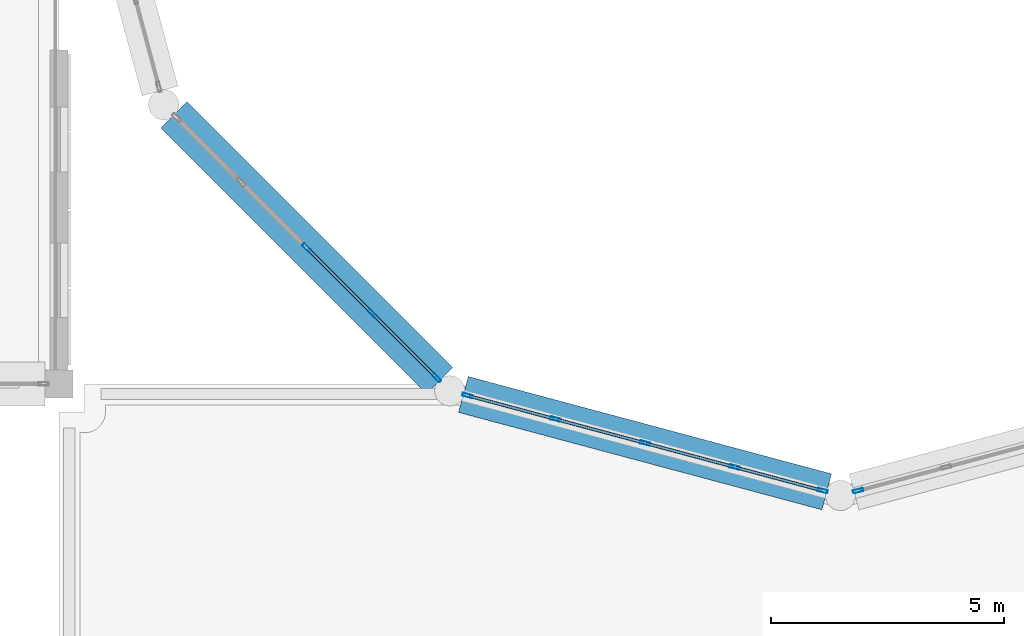
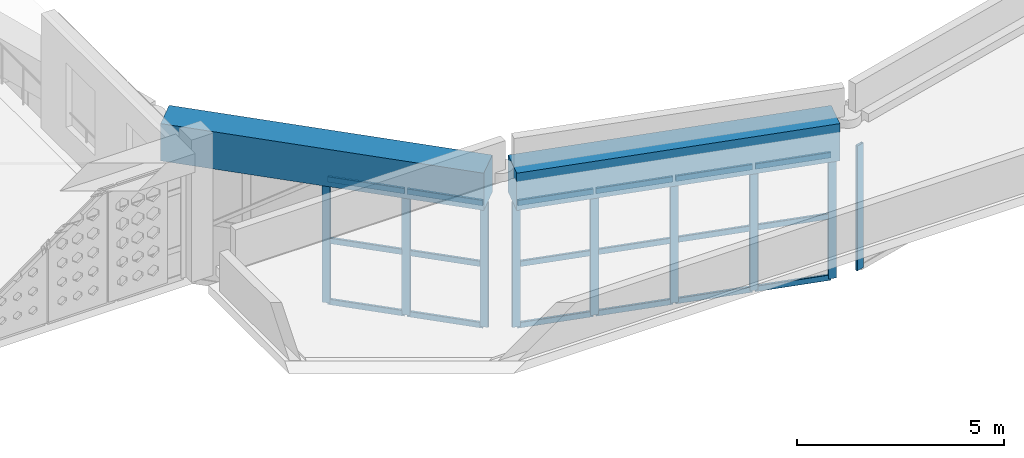
# One storey, part 18 of 48: 27 members, 2 beams, 3 elements without a shape of their own.
"""IFC4 building model written with IfcOpenShell, lengths in metres."""

from ifc_helpers import new_model, si_unit, derived_unit, direction, frame, origin, origin_2d, place, context, subcontext, project, spatial, rectangle, hollow_rectangle, extrude, material, material_profile, profile_set, type_object, element, aggregate, save


model = new_model("IFC4")

# Units and contexts
model_context = context("Model", 3, precision=1e-05, world=origin(), true_north=direction((0.0, 1.0)))
body_context = subcontext(model_context, "Body", "Model", "MODEL_VIEW")
ifc_project = project(units=[si_unit("LENGTHUNIT", "METRE"), si_unit("AREAUNIT", "SQUARE_METRE"), si_unit("VOLUMEUNIT", "CUBIC_METRE"), si_unit("PLANEANGLEUNIT", "RADIAN"), si_unit("MASSUNIT", "GRAM", prefix="KILO"), derived_unit("THERMALTRANSMITTANCEUNIT", [(si_unit("POWERUNIT", "WATT"), 1), (si_unit("LENGTHUNIT", "METRE"), -2), (si_unit("THERMODYNAMICTEMPERATUREUNIT", "KELVIN"), -1)])], contexts=[model_context])

# Site, building, storey
site_placement = place(None, origin())
site = spatial("IfcSite", under=ifc_project, at=site_placement, CompositionType="ELEMENT")
building_placement = place(site_placement, origin())
building = spatial("IfcBuilding", under=site, at=building_placement, Name="Veybourne Emporium", CompositionType="ELEMENT")
storey_placement = place(building_placement, frame((0.0, 0.0, 27.89990234375)))
storey = spatial("IfcBuildingStorey", under=building, at=storey_placement, Name="L06", CompositionType="ELEMENT", Elevation=27.89990234375)

# Curtain wall, members
ifc_material_1 = material(Name="Patinated Architectural Bronze", Category="bronze")
curtain_wall_type_1 = type_object("IfcCurtainWallType", Name="CWSystem_CWS-28", PredefinedType="NOTDEFINED", material=ifc_material_1)
curtain_wall_1_placement = place(storey_placement, origin())
curtain_wall_1 = element("IfcCurtainWall", 1, at=curtain_wall_1_placement, inside=storey, type_object=curtain_wall_type_1, Name="Atrium drum clerestory curtain wall 08", PredefinedType="NOTDEFINED")
ifc_material_profile_1 = material_profile(ifc_material_1, hollow_rectangle(XDim=0.070068359375, YDim=0.219970703125, WallThickness=0.0048828125, InnerFilletRadius=0.007568359375, OuterFilletRadius=0.012451171875, at=origin_2d()), Name="CWM 70x220x5")
ifc_profile_set_1 = profile_set([ifc_material_profile_1], Name="Patinated Architectural Bronze")
member_type_1 = type_object("IfcMemberType", Name="CWMullion_CW-M4", PredefinedType="MULLION", material=ifc_profile_set_1)
member_1_placement = place(storey_placement, frame((64.12548828125, 38.92529296875, -4.5), z_axis=(0.0, 0.0, 1.0), x_axis=(0.707106781187, 0.707106781187, 0.0)))
member_1 = element("IfcMember", 2, at=member_1_placement, type_object=member_type_1, Name="CWS-28 mullion 3", PredefinedType="MULLION", context=body_context, shape_type="SweptSolid", body=[
    extrude(hollow_rectangle(XDim=0.070068359375, YDim=0.219970703125, WallThickness=0.0048828125, InnerFilletRadius=0.007568359375, OuterFilletRadius=0.012451171875, at=origin_2d()), origin(), (0.0, 0.0, 1.0), 3.68017578125),
])
member_2_placement = place(storey_placement, frame((65.535400390625, 37.515380859375, -4.5), z_axis=(0.0, 0.0, 1.0), x_axis=(0.707106781187, 0.707106781187, 0.0)))
member_2 = element("IfcMember", 3, at=member_2_placement, type_object=member_type_1, Name="CWS-28 mullion 4", PredefinedType="MULLION", context=body_context, shape_type="SweptSolid", body=[
    extrude(hollow_rectangle(XDim=0.070068359375, YDim=0.219970703125, WallThickness=0.0048828125, InnerFilletRadius=0.007568359375, OuterFilletRadius=0.012451171875, at=origin_2d()), origin(), (0.0, 0.0, 1.0), 3.68017578125),
])
member_3_placement = place(storey_placement, frame((66.920654296875, 36.130126953125, -4.5), z_axis=(0.0, 0.0, 1.0), x_axis=(0.707106781187, 0.707106781187, 0.0)))
member_3 = element("IfcMember", 4, at=member_3_placement, type_object=member_type_1, Name="CWS-28 mullion 5", PredefinedType="MULLION", context=body_context, shape_type="SweptSolid", body=[
    extrude(hollow_rectangle(XDim=0.070068359375, YDim=0.219970703125, WallThickness=0.0048828125, InnerFilletRadius=0.007568359375, OuterFilletRadius=0.012451171875, at=origin_2d()), origin(), (0.0, 0.0, 1.0), 3.68017578125),
])

curtain_wall_type_2 = type_object("IfcCurtainWallType", Name="CWSystem_CWS-21", PredefinedType="NOTDEFINED", material=ifc_material_1)
curtain_wall_2_placement = place(storey_placement, origin())
curtain_wall_2 = element("IfcCurtainWall", 5, at=curtain_wall_2_placement, inside=storey, type_object=curtain_wall_type_2, Name="Atrium drum clerestory curtain wall 09", PredefinedType="NOTDEFINED")
member_4_placement = place(storey_placement, frame((67.58154296875, 35.74853515625, -4.5), z_axis=(0.0, 0.0, 1.0), x_axis=(0.258819598266, 0.965925678069, 0.0)))
member_4 = element("IfcMember", 6, at=member_4_placement, type_object=member_type_1, Name="CWS-21 mullion 1", PredefinedType="MULLION", context=body_context, shape_type="SweptSolid", body=[
    extrude(hollow_rectangle(XDim=0.070068359375, YDim=0.219970703125, WallThickness=0.0048828125, InnerFilletRadius=0.007568359375, OuterFilletRadius=0.012451171875, at=origin_2d()), origin(), (0.0, 0.0, 1.0), 3.68017578125),
])
member_5_placement = place(storey_placement, frame((69.473876953125, 35.241455078125, -4.5), z_axis=(0.0, 0.0, 1.0), x_axis=(0.258819598266, 0.965925678069, 0.0)))
member_5 = element("IfcMember", 7, at=member_5_placement, type_object=member_type_1, Name="CWS-21 mullion 2", PredefinedType="MULLION", context=body_context, shape_type="SweptSolid", body=[
    extrude(hollow_rectangle(XDim=0.070068359375, YDim=0.219970703125, WallThickness=0.0048828125, InnerFilletRadius=0.007568359375, OuterFilletRadius=0.012451171875, at=origin_2d()), origin(), (0.0, 0.0, 1.0), 3.68017578125),
])
member_6_placement = place(storey_placement, frame((71.39990234375, 34.725341796875, -4.5), z_axis=(0.0, 0.0, 1.0), x_axis=(0.258819598266, 0.965925678069, 0.0)))
member_6 = element("IfcMember", 8, at=member_6_placement, type_object=member_type_1, Name="CWS-21 mullion 3", PredefinedType="MULLION", context=body_context, shape_type="SweptSolid", body=[
    extrude(hollow_rectangle(XDim=0.070068359375, YDim=0.219970703125, WallThickness=0.0048828125, InnerFilletRadius=0.007568359375, OuterFilletRadius=0.012451171875, at=origin_2d()), origin(), (0.0, 0.0, 1.0), 3.68017578125),
])
member_7_placement = place(storey_placement, frame((73.326171875, 34.209228515625, -4.5), z_axis=(0.0, 0.0, 1.0), x_axis=(0.258819598266, 0.965925678069, 0.0)))
member_7 = element("IfcMember", 9, at=member_7_placement, type_object=member_type_1, Name="CWS-21 mullion 4", PredefinedType="MULLION", context=body_context, shape_type="SweptSolid", body=[
    extrude(hollow_rectangle(XDim=0.070068359375, YDim=0.219970703125, WallThickness=0.0048828125, InnerFilletRadius=0.007568359375, OuterFilletRadius=0.012451171875, at=origin_2d()), origin(), (0.0, 0.0, 1.0), 3.68017578125),
])
member_8_placement = place(storey_placement, frame((75.218505859375, 33.7021484375, -4.5), z_axis=(0.0, 0.0, 1.0), x_axis=(0.258819598266, 0.965925678069, 0.0)))
member_8 = element("IfcMember", 10, at=member_8_placement, type_object=member_type_1, Name="CWS-21 mullion 5", PredefinedType="MULLION", context=body_context, shape_type="SweptSolid", body=[
    extrude(hollow_rectangle(XDim=0.070068359375, YDim=0.219970703125, WallThickness=0.0048828125, InnerFilletRadius=0.007568359375, OuterFilletRadius=0.012451171875, at=origin_2d()), origin(), (0.0, 0.0, 1.0), 3.68017578125),
])

# Curtain wall, member
curtain_wall_type_3 = type_object("IfcCurtainWallType", Name="CWSystem_CWS-22", PredefinedType="NOTDEFINED", material=ifc_material_1)
curtain_wall_3_placement = place(storey_placement, origin())
curtain_wall_3 = element("IfcCurtainWall", 11, at=curtain_wall_3_placement, inside=storey, type_object=curtain_wall_type_3, Name="Atrium drum clerestory curtain wall 10", PredefinedType="NOTDEFINED")
member_9_placement = place(storey_placement, frame((75.9814453125, 33.7021484375, -4.5), z_axis=(0.0, 0.0, 1.0), x_axis=(-0.258819598266, 0.965925678069, 0.0)))
member_9 = element("IfcMember", 12, at=member_9_placement, type_object=member_type_1, Name="CWS-22 mullion 1", PredefinedType="MULLION", context=body_context, shape_type="SweptSolid", body=[
    extrude(hollow_rectangle(XDim=0.070068359375, YDim=0.219970703125, WallThickness=0.0048828125, InnerFilletRadius=0.007568359375, OuterFilletRadius=0.012451171875, at=origin_2d()), origin(), (0.0, 0.0, 1.0), 3.68017578125),
])
aggregate(curtain_wall_3, [member_9])

# Member
ifc_material_profile_2 = material_profile(ifc_material_1, hollow_rectangle(XDim=0.070068359375, YDim=0.169921875, WallThickness=0.0048828125, InnerFilletRadius=0.007568359375, OuterFilletRadius=0.012451171875, at=origin_2d()), Name="CWT 70x170x5")
ifc_profile_set_2 = profile_set([ifc_material_profile_2], Name="Patinated Architectural Bronze")
member_type_2 = type_object("IfcMemberType", Name="CWTransom_CW-T4", PredefinedType="NOTDEFINED", material=ifc_profile_set_2)
member_10_placement = place(storey_placement, frame((64.150146484375, 38.900634765625, -4.46484375), z_axis=(0.707106781187, -0.707106781187, 0.0), x_axis=(0.707106781187, 0.707106781187, 0.0)))
member_10 = element("IfcMember", 13, at=member_10_placement, type_object=member_type_2, Name="CWS-28 transom 3.1", ObjectType="TRANSOM", PredefinedType="USERDEFINED", context=body_context, shape_type="SweptSolid", body=[
    extrude(hollow_rectangle(XDim=0.070068359375, YDim=0.169921875, WallThickness=0.0048828125, InnerFilletRadius=0.007568359375, OuterFilletRadius=0.012451171875, at=origin_2d()), origin(), (0.0, 0.0, 1.0), 1.924072265625),
])

member_11_placement = place(storey_placement, frame((64.150146484375, 38.900634765625, -2.659912109375), z_axis=(0.707106781187, -0.707106781187, 0.0), x_axis=(0.707106781187, 0.707106781187, 0.0)))
member_11 = element("IfcMember", 14, at=member_11_placement, type_object=member_type_2, Name="CWS-28 transom 3.2", ObjectType="TRANSOM", PredefinedType="USERDEFINED", context=body_context, shape_type="SweptSolid", body=[
    extrude(hollow_rectangle(XDim=0.070068359375, YDim=0.169921875, WallThickness=0.0048828125, InnerFilletRadius=0.007568359375, OuterFilletRadius=0.012451171875, at=origin_2d()), origin(), (0.0, 0.0, 1.0), 1.924072265625),
])

member_12_placement = place(storey_placement, frame((64.150146484375, 38.900634765625, -0.85498046875), z_axis=(0.707106781187, -0.707106781187, 0.0), x_axis=(0.707106781187, 0.707106781187, 0.0)))
member_12 = element("IfcMember", 15, at=member_12_placement, type_object=member_type_2, Name="CWS-28 transom 3.3", ObjectType="TRANSOM", PredefinedType="USERDEFINED", context=body_context, shape_type="SweptSolid", body=[
    extrude(hollow_rectangle(XDim=0.070068359375, YDim=0.169921875, WallThickness=0.0048828125, InnerFilletRadius=0.007568359375, OuterFilletRadius=0.012451171875, at=origin_2d()), origin(), (0.0, 0.0, 1.0), 1.924072265625),
])

member_13_placement = place(storey_placement, frame((65.56005859375, 37.49072265625, -4.46484375), z_axis=(0.707106781187, -0.707106781187, 0.0), x_axis=(0.707106781187, 0.707106781187, 0.0)))
member_13 = element("IfcMember", 16, at=member_13_placement, type_object=member_type_2, Name="CWS-28 transom 4.1", ObjectType="TRANSOM", PredefinedType="USERDEFINED", context=body_context, shape_type="SweptSolid", body=[
    extrude(hollow_rectangle(XDim=0.070068359375, YDim=0.169921875, WallThickness=0.0048828125, InnerFilletRadius=0.007568359375, OuterFilletRadius=0.012451171875, at=origin_2d()), origin(), (0.0, 0.0, 1.0), 1.889404296875),
])

member_14_placement = place(storey_placement, frame((65.56005859375, 37.49072265625, -2.659912109375), z_axis=(0.707106781187, -0.707106781187, 0.0), x_axis=(0.707106781187, 0.707106781187, 0.0)))
member_14 = element("IfcMember", 17, at=member_14_placement, type_object=member_type_2, Name="CWS-28 transom 4.2", ObjectType="TRANSOM", PredefinedType="USERDEFINED", context=body_context, shape_type="SweptSolid", body=[
    extrude(hollow_rectangle(XDim=0.070068359375, YDim=0.169921875, WallThickness=0.0048828125, InnerFilletRadius=0.007568359375, OuterFilletRadius=0.012451171875, at=origin_2d()), origin(), (0.0, 0.0, 1.0), 1.889404296875),
])

member_15_placement = place(storey_placement, frame((65.56005859375, 37.49072265625, -0.85498046875), z_axis=(0.707106781187, -0.707106781187, 0.0), x_axis=(0.707106781187, 0.707106781187, 0.0)))
member_15 = element("IfcMember", 18, at=member_15_placement, type_object=member_type_2, Name="CWS-28 transom 4.3", ObjectType="TRANSOM", PredefinedType="USERDEFINED", context=body_context, shape_type="SweptSolid", body=[
    extrude(hollow_rectangle(XDim=0.070068359375, YDim=0.169921875, WallThickness=0.0048828125, InnerFilletRadius=0.007568359375, OuterFilletRadius=0.012451171875, at=origin_2d()), origin(), (0.0, 0.0, 1.0), 1.889404296875),
])

aggregate(curtain_wall_1, [member_1, member_2, member_3, member_10, member_11, member_12, member_13, member_14, member_15])

member_16_placement = place(storey_placement, frame((67.615234375, 35.739501953125, -4.46484375), z_axis=(0.965914590329, -0.258860974636, 0.0), x_axis=(0.258860974636, 0.965914590329, 0.0)))
member_16 = element("IfcMember", 19, at=member_16_placement, type_object=member_type_2, Name="CWS-21 transom 1.1", ObjectType="TRANSOM", PredefinedType="USERDEFINED", context=body_context, shape_type="SweptSolid", body=[
    extrude(hollow_rectangle(XDim=0.070068359375, YDim=0.169921875, WallThickness=0.0048828125, InnerFilletRadius=0.007568359375, OuterFilletRadius=0.012451171875, at=origin_2d()), origin(), (0.0, 0.0, 1.0), 1.88916015625),
])

member_17_placement = place(storey_placement, frame((67.615234375, 35.739501953125, -2.659912109375), z_axis=(0.965914590329, -0.258860974636, 0.0), x_axis=(0.258860974636, 0.965914590329, 0.0)))
member_17 = element("IfcMember", 20, at=member_17_placement, type_object=member_type_2, Name="CWS-21 transom 1.2", ObjectType="TRANSOM", PredefinedType="USERDEFINED", context=body_context, shape_type="SweptSolid", body=[
    extrude(hollow_rectangle(XDim=0.070068359375, YDim=0.169921875, WallThickness=0.0048828125, InnerFilletRadius=0.007568359375, OuterFilletRadius=0.012451171875, at=origin_2d()), origin(), (0.0, 0.0, 1.0), 1.88916015625),
])

member_18_placement = place(storey_placement, frame((67.615234375, 35.739501953125, -0.85498046875), z_axis=(0.965914590329, -0.258860974636, 0.0), x_axis=(0.258860974636, 0.965914590329, 0.0)))
member_18 = element("IfcMember", 21, at=member_18_placement, type_object=member_type_2, Name="CWS-21 transom 1.3", ObjectType="TRANSOM", PredefinedType="USERDEFINED", context=body_context, shape_type="SweptSolid", body=[
    extrude(hollow_rectangle(XDim=0.070068359375, YDim=0.169921875, WallThickness=0.0048828125, InnerFilletRadius=0.007568359375, OuterFilletRadius=0.012451171875, at=origin_2d()), origin(), (0.0, 0.0, 1.0), 1.88916015625),
])

member_19_placement = place(storey_placement, frame((69.507568359375, 35.232421875, -4.46484375), z_axis=(0.965922565509, -0.258831214191, 0.0), x_axis=(0.258831214191, 0.965922565509, 0.0)))
member_19 = element("IfcMember", 22, at=member_19_placement, type_object=member_type_2, Name="CWS-21 transom 2.1", ObjectType="TRANSOM", PredefinedType="USERDEFINED", context=body_context, shape_type="SweptSolid", body=[
    extrude(hollow_rectangle(XDim=0.070068359375, YDim=0.169921875, WallThickness=0.0048828125, InnerFilletRadius=0.007568359375, OuterFilletRadius=0.012451171875, at=origin_2d()), origin(), (0.0, 0.0, 1.0), 1.92431640625),
])

member_20_placement = place(storey_placement, frame((69.507568359375, 35.232421875, -2.659912109375), z_axis=(0.965922565509, -0.258831214191, 0.0), x_axis=(0.258831214191, 0.965922565509, 0.0)))
member_20 = element("IfcMember", 23, at=member_20_placement, type_object=member_type_2, Name="CWS-21 transom 2.2", ObjectType="TRANSOM", PredefinedType="USERDEFINED", context=body_context, shape_type="SweptSolid", body=[
    extrude(hollow_rectangle(XDim=0.070068359375, YDim=0.169921875, WallThickness=0.0048828125, InnerFilletRadius=0.007568359375, OuterFilletRadius=0.012451171875, at=origin_2d()), origin(), (0.0, 0.0, 1.0), 1.92431640625),
])

member_21_placement = place(storey_placement, frame((69.507568359375, 35.232421875, -0.85498046875), z_axis=(0.965922565509, -0.258831214191, 0.0), x_axis=(0.258831214191, 0.965922565509, 0.0)))
member_21 = element("IfcMember", 24, at=member_21_placement, type_object=member_type_2, Name="CWS-21 transom 2.3", ObjectType="TRANSOM", PredefinedType="USERDEFINED", context=body_context, shape_type="SweptSolid", body=[
    extrude(hollow_rectangle(XDim=0.070068359375, YDim=0.169921875, WallThickness=0.0048828125, InnerFilletRadius=0.007568359375, OuterFilletRadius=0.012451171875, at=origin_2d()), origin(), (0.0, 0.0, 1.0), 1.92431640625),
])

member_22_placement = place(storey_placement, frame((71.433837890625, 34.71630859375, -4.46484375), z_axis=(0.96591406393, -0.258862938836, 0.0), x_axis=(0.258862938836, 0.96591406393, 0.0)))
member_22 = element("IfcMember", 25, at=member_22_placement, type_object=member_type_2, Name="CWS-21 transom 3.1", ObjectType="TRANSOM", PredefinedType="USERDEFINED", context=body_context, shape_type="SweptSolid", body=[
    extrude(hollow_rectangle(XDim=0.070068359375, YDim=0.169921875, WallThickness=0.0048828125, InnerFilletRadius=0.007568359375, OuterFilletRadius=0.012451171875, at=origin_2d()), origin(), (0.0, 0.0, 1.0), 1.924072265625),
])

member_23_placement = place(storey_placement, frame((71.433837890625, 34.71630859375, -2.659912109375), z_axis=(0.96591406393, -0.258862938836, 0.0), x_axis=(0.258862938836, 0.96591406393, 0.0)))
member_23 = element("IfcMember", 26, at=member_23_placement, type_object=member_type_2, Name="CWS-21 transom 3.2", ObjectType="TRANSOM", PredefinedType="USERDEFINED", context=body_context, shape_type="SweptSolid", body=[
    extrude(hollow_rectangle(XDim=0.070068359375, YDim=0.169921875, WallThickness=0.0048828125, InnerFilletRadius=0.007568359375, OuterFilletRadius=0.012451171875, at=origin_2d()), origin(), (0.0, 0.0, 1.0), 1.924072265625),
])

member_24_placement = place(storey_placement, frame((71.433837890625, 34.71630859375, -0.85498046875), z_axis=(0.96591406393, -0.258862938836, 0.0), x_axis=(0.258862938836, 0.96591406393, 0.0)))
member_24 = element("IfcMember", 27, at=member_24_placement, type_object=member_type_2, Name="CWS-21 transom 3.3", ObjectType="TRANSOM", PredefinedType="USERDEFINED", context=body_context, shape_type="SweptSolid", body=[
    extrude(hollow_rectangle(XDim=0.070068359375, YDim=0.169921875, WallThickness=0.0048828125, InnerFilletRadius=0.007568359375, OuterFilletRadius=0.012451171875, at=origin_2d()), origin(), (0.0, 0.0, 1.0), 1.924072265625),
])

member_25_placement = place(storey_placement, frame((73.35986328125, 34.2001953125, -4.46484375), z_axis=(0.965914590329, -0.258860974636, 0.0), x_axis=(0.258860974636, 0.965914590329, 0.0)))
member_25 = element("IfcMember", 28, at=member_25_placement, type_object=member_type_2, Name="CWS-21 transom 4.1", ObjectType="TRANSOM", PredefinedType="USERDEFINED", context=body_context, shape_type="SweptSolid", body=[
    extrude(hollow_rectangle(XDim=0.070068359375, YDim=0.169921875, WallThickness=0.0048828125, InnerFilletRadius=0.007568359375, OuterFilletRadius=0.012451171875, at=origin_2d()), origin(), (0.0, 0.0, 1.0), 1.88916015625),
])

member_26_placement = place(storey_placement, frame((73.35986328125, 34.2001953125, -2.659912109375), z_axis=(0.965914590329, -0.258860974636, 0.0), x_axis=(0.258860974636, 0.965914590329, 0.0)))
member_26 = element("IfcMember", 29, at=member_26_placement, type_object=member_type_2, Name="CWS-21 transom 4.2", ObjectType="TRANSOM", PredefinedType="USERDEFINED", context=body_context, shape_type="SweptSolid", body=[
    extrude(hollow_rectangle(XDim=0.070068359375, YDim=0.169921875, WallThickness=0.0048828125, InnerFilletRadius=0.007568359375, OuterFilletRadius=0.012451171875, at=origin_2d()), origin(), (0.0, 0.0, 1.0), 1.88916015625),
])

member_27_placement = place(storey_placement, frame((73.35986328125, 34.2001953125, -0.85498046875), z_axis=(0.965914590329, -0.258860974636, 0.0), x_axis=(0.258860974636, 0.965914590329, 0.0)))
member_27 = element("IfcMember", 30, at=member_27_placement, type_object=member_type_2, Name="CWS-21 transom 4.3", ObjectType="TRANSOM", PredefinedType="USERDEFINED", context=body_context, shape_type="SweptSolid", body=[
    extrude(hollow_rectangle(XDim=0.070068359375, YDim=0.169921875, WallThickness=0.0048828125, InnerFilletRadius=0.007568359375, OuterFilletRadius=0.012451171875, at=origin_2d()), origin(), (0.0, 0.0, 1.0), 1.88916015625),
])

aggregate(curtain_wall_2, [member_4, member_5, member_6, member_7, member_8, member_16, member_17, member_18, member_19, member_20, member_21, member_22, member_23, member_24, member_25, member_26, member_27])

# Beams
ifc_material_2 = material(Name="Concrete C40/50", Category="concrete")
ifc_material_profile_3 = material_profile(ifc_material_2, rectangle(XDim=0.800048828125, YDim=1.10009765625, at=origin_2d()), Name="RC 800x1100")
ifc_profile_set_3 = profile_set([ifc_material_profile_3], Name="Concrete C40/50")
beam_type = type_object("IfcBeamType", Name="RCBeam_RB-01", PredefinedType="BEAM", material=ifc_profile_set_3)
beam_1_placement = place(storey_placement, frame((61.266357421875, 41.784423828125, -0.25), z_axis=(0.707106781187, -0.707106781187, 0.0), x_axis=(0.707106781187, 0.707106781187, 0.0)))
element("IfcBeam", 31, at=beam_1_placement, inside=storey, type_object=beam_type, Name="Atrium ring beam RB-01 L06-08", PredefinedType="BEAM", context=body_context, shape_type="SweptSolid", body=[
    extrude(rectangle(XDim=0.800048828125, YDim=1.10009765625, at=origin_2d()), origin(), (0.0, 0.0, 1.0), 8.08642578125),
])
beam_2_placement = place(storey_placement, frame((67.49462890625, 35.771728515625, -0.25), z_axis=(0.965929588955, -0.258805002235, 0.0), x_axis=(0.258805002235, 0.965929588955, 0.0)))
element("IfcBeam", 32, at=beam_2_placement, inside=storey, type_object=beam_type, Name="Atrium ring beam RB-01 L06-09", PredefinedType="BEAM", context=body_context, shape_type="SweptSolid", body=[
    extrude(rectangle(XDim=0.800048828125, YDim=1.10009765625, at=origin_2d()), origin(), (0.0, 0.0, 1.0), 8.086181640625),
])

save(model, "model.ifc")
